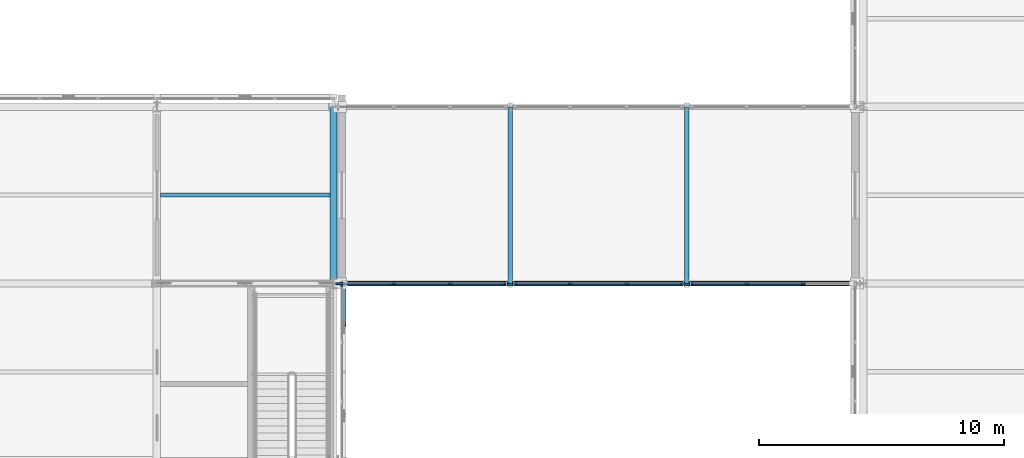
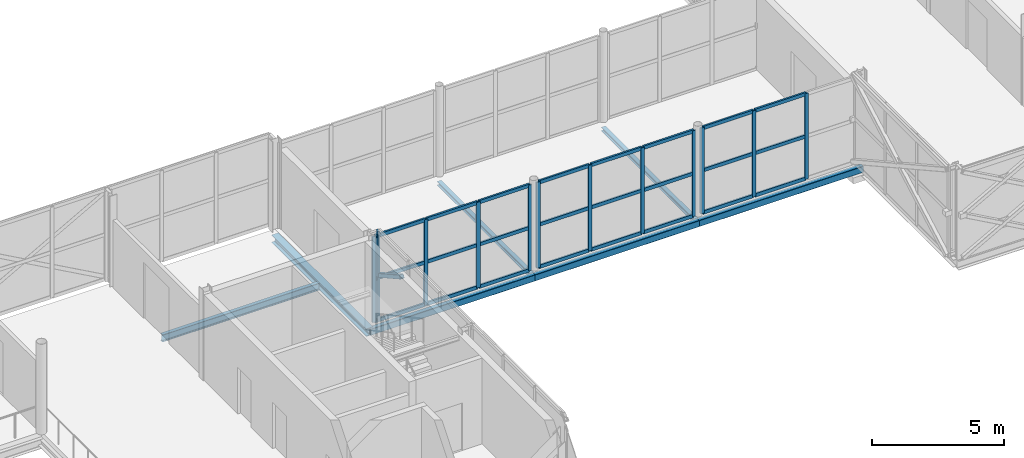
# One storey, part 43 of 146: 37 members, 7 beams, 4 elements without a shape of their own.
"""IFC4 building model written with IfcOpenShell, lengths in metres."""

import ifcopenshell
import ifcopenshell.guid

model = None  # the IFC model being written
_history = None  # IfcOwnerHistory: only IFC2X3 demands one
_inside = {}  # id of a spatial element -> (the spatial element, [elements in it])
_under = {}  # id of a project, library or spatial element -> (it, [spatial elements below it])
_declared = {}  # id of a project -> (the project, [libraries it declares])
_typed = {}  # id of a type object -> (the type object, [elements of that type])
_made_of = {}  # id of a material, layer set ... -> (it, [elements and type objects made of it])


def new_model(schema):
    """Start an empty IFC model of exactly this schema.

    Asked for "IFC4X3", IfcOpenShell would pick the latest addendum, in which some entities
    have other attributes; the version numbers below select the first issue.
    IFC2X3 requires an IfcOwnerHistory on every rooted entity: one is made here for all.
    """
    global model, _history
    if schema == "IFC4X3":
        model = ifcopenshell.file(schema_version=(4, 3, 0, 0))
    else:
        model = ifcopenshell.file(schema=schema)
    _inside.clear()
    _under.clear()
    _declared.clear()
    _typed.clear()
    _made_of.clear()
    _history = None
    if model.schema == "IFC2X3":
        org = make("IfcOrganization", Name="unknown")
        user = make(
            "IfcPersonAndOrganization",
            ThePerson=make("IfcPerson", FamilyName="unknown"),
            TheOrganization=org,
        )
        app = make(
            "IfcApplication",
            ApplicationDeveloper=org,
            Version="unknown",
            ApplicationFullName="unknown",
            ApplicationIdentifier="unknown",
        )
        _history = make(
            "IfcOwnerHistory",
            OwningUser=user,
            OwningApplication=app,
            ChangeAction="ADDED",
            CreationDate=0,
        )
    return model


def make(cls, **values):
    """One entity of the class cls with the attributes given. An attribute that is None is left unset."""
    return model.create_entity(
        cls, **{name: value for name, value in values.items() if value is not None}
    )


def rooted(cls, **values):
    """An entity with a GlobalId (a new one), such as an element, a storey or a relation."""
    return make(cls, GlobalId=ifcopenshell.guid.new(), OwnerHistory=_history, **values)


def si_unit(unit_type, name, prefix=None):
    """IfcSIUnit, for example si_unit("LENGTHUNIT", "METRE", prefix="MILLI")."""
    return make("IfcSIUnit", UnitType=unit_type, Prefix=prefix, Name=name)


def assignment(units):
    """IfcUnitAssignment: the units of a project."""
    return None if units is None else make("IfcUnitAssignment", Units=units)


def point(xyz):
    """IfcCartesianPoint."""
    return None if xyz is None else make("IfcCartesianPoint", Coordinates=xyz)


def direction(xyz):
    """IfcDirection."""
    return None if xyz is None else make("IfcDirection", DirectionRatios=xyz)


def frame(location, z_axis=None, x_axis=None):
    """IfcAxis2Placement3D, a coordinate frame: its origin and axes. An axis left out is left unset."""
    return make(
        "IfcAxis2Placement3D",
        Location=point(location),
        Axis=direction(z_axis),
        RefDirection=direction(x_axis),
    )


def frame_2d(location, x_axis=None):
    """IfcAxis2Placement2D, a coordinate frame in the plane: its origin and x axis."""
    return make(
        "IfcAxis2Placement2D", Location=point(location), RefDirection=direction(x_axis)
    )


def origin():
    """The frame at (0, 0, 0) with its axes left unset."""
    return frame((0.0, 0.0, 0.0))


def origin_2d():
    """The frame at (0, 0) in the plane with its x axis left unset."""
    return frame_2d((0.0, 0.0))


def place(relative_to, where):
    """IfcLocalPlacement: puts the frame where relative to a parent placement (None: the world)."""
    return make(
        "IfcLocalPlacement", PlacementRelTo=relative_to, RelativePlacement=where
    )


def context(
    kind, dimensions, precision=None, world=None, true_north=None, identifier=None
):
    """IfcGeometricRepresentationContext, for example the 3D "Model" context."""
    return make(
        "IfcGeometricRepresentationContext",
        ContextIdentifier=identifier,
        ContextType=kind,
        CoordinateSpaceDimension=dimensions,
        Precision=precision,
        WorldCoordinateSystem=world,
        TrueNorth=true_north,
    )


def subcontext(parent, identifier, kind, view, scale=None):
    """IfcGeometricRepresentationSubContext, for example "Body" below "Model"."""
    return make(
        "IfcGeometricRepresentationSubContext",
        ContextIdentifier=identifier,
        ContextType=kind,
        ParentContext=parent,
        TargetScale=scale,
        TargetView=view,
    )


def project(units=None, contexts=None):
    """IfcProject with its units and contexts."""
    return rooted(
        "IfcProject",
        Name="project",
        RepresentationContexts=contexts,
        UnitsInContext=assignment(units),
    )


def spatial(cls, under=None, at=None, **own):
    """A site, building, storey or space (cls), placed at a placement, below another one or the project."""
    s = rooted(cls, ObjectPlacement=at, **own)
    if under is not None:
        _under.setdefault(under.id(), (under, []))[1].append(s)
    return s


def profile(cls, at=None, kind="AREA", **sizes):
    """A parametric profile (cls). Its sizes go by their IFC names, for example OverallWidth=200.0."""
    return make(cls, ProfileType=kind, Position=at, **sizes)


def rectangle(**sizes):
    """IfcRectangleProfileDef."""
    return profile("IfcRectangleProfileDef", **sizes)


def hollow_rectangle(**sizes):
    """IfcRectangleHollowProfileDef."""
    return profile("IfcRectangleHollowProfileDef", **sizes)


def i_section(**sizes):
    """IfcIShapeProfileDef."""
    return profile("IfcIShapeProfileDef", **sizes)


def extrude(swept, where, along, depth):
    """IfcExtrudedAreaSolid: the profile swept, set in the frame where, extruded along a direction by depth."""
    return make(
        "IfcExtrudedAreaSolid",
        SweptArea=swept,
        Position=where,
        ExtrudedDirection=direction(along),
        Depth=depth,
    )


def shape(context_of_items, identifier, shape_type, items):
    """IfcShapeRepresentation: the items that make up one representation, for example the "Body"."""
    return make(
        "IfcShapeRepresentation",
        ContextOfItems=context_of_items,
        RepresentationIdentifier=identifier,
        RepresentationType=shape_type,
        Items=items,
    )


def material(Name=None, Category=None):
    """IfcMaterial."""
    return make("IfcMaterial", Name=Name, Category=Category)


def material_profile(
    of_material, cross_section, Name=None, Category=None, Priority=None
):
    """IfcMaterialProfile: a cross section and its material."""
    return make(
        "IfcMaterialProfile",
        Name=Name,
        Material=of_material,
        Profile=cross_section,
        Priority=Priority,
        Category=Category,
    )


def profile_set(profiles, Name=None, composite=None):
    """IfcMaterialProfileSet."""
    return make(
        "IfcMaterialProfileSet",
        Name=Name,
        MaterialProfiles=profiles,
        CompositeProfile=composite,
    )


def made_of(thing, what):
    """Note that an element or type object is made of a material, layer set ...; save() writes the relation."""
    if what is not None:
        _made_of.setdefault(what.id(), (what, []))[1].append(thing)
    return thing


def type_object(cls, material=None, **own):
    """A type object (cls), such as IfcWallType, which elements share."""
    return made_of(rooted(cls, **own), material)


def element(
    cls,
    number,
    at=None,
    inside=None,
    cuts=None,
    type_object=None,
    material=None,
    context=None,
    identifier="Body",
    shape_type=None,
    held_by="IfcProductDefinitionShape",
    body=None,
    shapes=None,
    **own,
):
    """One element of the class cls, such as IfcWall. Its Tag is "e" and its number.

    at: its placement. inside: the storey or other place that contains it. cuts: it is an
    opening in that element (IfcRelVoidsElement). A single representation is given by context,
    identifier, shape_type and body (its items); several are given by shapes. held_by: the class
    of the entity that holds the representations. save() writes the other relations.
    """
    e = rooted(cls, Tag="e%d" % number, ObjectPlacement=at, **own)
    if body is not None:
        shapes = [shape(context, identifier, shape_type, body)]
    if shapes is not None:
        e.Representation = make(held_by, Representations=shapes)
    if inside is not None:
        _inside.setdefault(inside.id(), (inside, []))[1].append(e)
    if cuts is not None:
        rooted(
            "IfcRelVoidsElement", RelatingBuildingElement=cuts, RelatedOpeningElement=e
        )
    if type_object is not None:
        _typed.setdefault(type_object.id(), (type_object, []))[1].append(e)
    return made_of(e, material)


def aggregate(whole, parts):
    """IfcRelAggregates: a whole, such as a stair, and the parts it consists of."""
    return rooted("IfcRelAggregates", RelatingObject=whole, RelatedObjects=parts)


def save(model, path):
    """Write the relations noted so far, then the file.

    IfcRelAggregates (storeys below a building ...), IfcRelContainedInSpatialStructure (elements
    in a storey), IfcRelDefinesByType, IfcRelAssociatesMaterial and IfcRelDeclares: one each for
    every whole, place, type object, material and project.
    """
    for whole, parts in _under.values():
        aggregate(whole, parts)
    for where, things in _inside.values():
        rooted(
            "IfcRelContainedInSpatialStructure",
            RelatedElements=things,
            RelatingStructure=where,
        )
    for kind, things in _typed.values():
        rooted("IfcRelDefinesByType", RelatedObjects=things, RelatingType=kind)
    for what, things in _made_of.values():
        rooted("IfcRelAssociatesMaterial", RelatedObjects=things, RelatingMaterial=what)
    for by, libraries in _declared.values():
        rooted("IfcRelDeclares", RelatingContext=by, RelatedDefinitions=libraries)
    model.write(path)


model = new_model("IFC4")

# Units and contexts
model_context = context("Model", 3, precision=1e-05, world=origin(), true_north=direction((0.0, 1.0)))
body_context = subcontext(model_context, "Body", "Model", "MODEL_VIEW")
ifc_project = project(units=[si_unit("LENGTHUNIT", "METRE"), si_unit("AREAUNIT", "SQUARE_METRE"), si_unit("VOLUMEUNIT", "CUBIC_METRE"), si_unit("PLANEANGLEUNIT", "RADIAN"), si_unit("MASSUNIT", "GRAM", prefix="KILO")], contexts=[model_context])

# Site, building, storey
site_placement = place(None, origin())
site = spatial("IfcSite", under=ifc_project, at=site_placement, CompositionType="ELEMENT")
building_placement = place(site_placement, origin())
building = spatial("IfcBuilding", under=site, at=building_placement, Name="Zlatovets Crest Museum", CompositionType="ELEMENT")
storey_placement = place(building_placement, frame((0.0, 0.0, 4.5)))
storey = spatial("IfcBuildingStorey", under=building, at=storey_placement, Name="L01", CompositionType="ELEMENT", Elevation=4.5)

# Beams
ifc_material_1 = material(Name="Structural steel S355J2", Category="steel")
ifc_material_profile_1 = material_profile(ifc_material_1, i_section(OverallWidth=0.300048828125, OverallDepth=0.35009765625, WebThickness=0.010009765625, FlangeThickness=0.017578125, FilletRadius=0.027099609375, at=origin_2d()), Name="HEA 360")
ifc_profile_set_1 = profile_set([ifc_material_profile_1], Name="Structural steel S355J2")
beam_type_1 = type_object("IfcBeamType", Name="Beam_B-03", PredefinedType="BEAM", material=ifc_profile_set_1)
beam_1_placement = place(storey_placement, frame((108.0, 21.60009765625, -0.39501953125), z_axis=(0.0, 1.0, 0.0), x_axis=(-1.0, 0.0, 0.0)))
element("IfcBeam", 1, at=beam_1_placement, inside=storey, type_object=beam_type_1, Name="V2 L01 Grid Beam B-03", PredefinedType="BEAM", context=body_context, shape_type="SweptSolid", body=[
    extrude(i_section(OverallWidth=0.300048828125, OverallDepth=0.35009765625, WebThickness=0.010009765625, FlangeThickness=0.017578125, FilletRadius=0.027099609375, at=origin_2d()), origin(), (0.0, 0.0, 1.0), 7.199951171875),
])
ifc_material_profile_2 = material_profile(ifc_material_1, i_section(OverallWidth=0.179931640625, OverallDepth=0.1708984375, WebThickness=0.006103515625, FlangeThickness=0.009521484375, FilletRadius=0.014892578125, at=origin_2d()), Name="HEA 180")
ifc_profile_set_2 = profile_set([ifc_material_profile_2], Name="Structural steel S355J2")
beam_type_2 = type_object("IfcBeamType", Name="Beam_B-16", PredefinedType="BEAM", material=ifc_profile_set_2)
for number, where, z_axis, x_axis, name in (
    (2, (115.199951171875, 21.60009765625, -0.3701171875), (0.0, 1.0, 0.0), (-1.0, 0.0, 0.0), "Southeast Archive Glazed Link Bridge L01 Cross Beam"),
    (3, (122.39990234375, 21.60009765625, -0.3701171875), (0.0, 1.0, 0.0), (-1.0, 0.0, 0.0), "Southeast Archive Glazed Link Bridge L01 Cross Beam"),
):
    element("IfcBeam", number, at=place(storey_placement, frame(where, z_axis=z_axis, x_axis=x_axis)), inside=storey, type_object=beam_type_2, Name=name, PredefinedType="BEAM", context=body_context, shape_type="SweptSolid", body=[
        extrude(i_section(OverallWidth=0.179931640625, OverallDepth=0.1708984375, WebThickness=0.006103515625, FlangeThickness=0.009521484375, FilletRadius=0.014892578125, at=origin_2d()), origin(), (0.0, 0.0, 1.0), 7.199951171875),
    ])
ifc_material_profile_3 = material_profile(ifc_material_1, hollow_rectangle(XDim=0.199951171875, YDim=0.300048828125, WallThickness=0.012451171875, InnerFilletRadius=0.012451171875, OuterFilletRadius=0.02490234375, at=origin_2d()), Name="RHS 200x300x12.5")
ifc_profile_set_3 = profile_set([ifc_material_profile_3], Name="Structural steel S355J2")
beam_type_3 = type_object("IfcBeamType", Name="Beam_BRG-01", PredefinedType="BEAM", material=ifc_profile_set_3)
for number, where, z_axis, x_axis, name in (
    (4, (108.0, 21.60009765625, -0.3701171875), (1.0, 0.0, 0.0), (0.0, 1.0, 0.0), "Southeast Archive Glazed Link Bridge L01 Stringer Beam"),
    (5, (115.199951171875, 21.60009765625, -0.3701171875), (1.0, 0.0, 0.0), (0.0, 1.0, 0.0), "Southeast Archive Glazed Link Bridge L01 Stringer Beam"),
):
    element("IfcBeam", number, at=place(storey_placement, frame(where, z_axis=z_axis, x_axis=x_axis)), inside=storey, type_object=beam_type_3, Name=name, PredefinedType="BEAM", context=body_context, shape_type="SweptSolid", body=[
        extrude(hollow_rectangle(XDim=0.199951171875, YDim=0.300048828125, WallThickness=0.012451171875, InnerFilletRadius=0.012451171875, OuterFilletRadius=0.02490234375, at=origin_2d()), origin(), (0.0, 0.0, 1.0), 7.199951171875),
    ])
beam_2_placement = place(storey_placement, frame((122.39990234375, 21.60009765625, -0.3701171875), z_axis=(1.0, 0.0, 0.0), x_axis=(0.0, 1.0, 0.0)))
element("IfcBeam", 6, at=beam_2_placement, inside=storey, type_object=beam_type_3, Name="Southeast Archive Glazed Link Bridge L01 Stringer Beam", PredefinedType="BEAM", context=body_context, shape_type="SweptSolid", body=[
    extrude(hollow_rectangle(XDim=0.199951171875, YDim=0.300048828125, WallThickness=0.012451171875, InnerFilletRadius=0.012451171875, OuterFilletRadius=0.02490234375, at=origin_2d()), origin(), (0.0, 0.0, 1.0), 7.2001953125),
])
ifc_material_profile_4 = material_profile(ifc_material_1, i_section(OverallWidth=0.159912109375, OverallDepth=0.330078125, WebThickness=0.007568359375, FlangeThickness=0.011474609375, FilletRadius=0.01806640625, at=origin_2d()), Name="IPE 330")
ifc_profile_set_4 = profile_set([ifc_material_profile_4], Name="Structural steel S355J2")
beam_type_4 = type_object("IfcBeamType", Name="Beam_J-09", PredefinedType="JOIST", material=ifc_profile_set_4)
beam_3_placement = place(storey_placement, frame((100.949951171875, 25.199951171875, -0.385009765625), z_axis=(1.0, 0.0, 0.0), x_axis=(0.0, 1.0, 0.0)))
element("IfcBeam", 7, at=beam_3_placement, inside=storey, type_object=beam_type_4, Name="V2 L01 Composite Joist J-09", PredefinedType="JOIST", context=body_context, shape_type="SweptSolid", body=[
    extrude(i_section(OverallWidth=0.159912109375, OverallDepth=0.330078125, WebThickness=0.007568359375, FlangeThickness=0.011474609375, FilletRadius=0.01806640625, at=origin_2d()), origin(), (0.0, 0.0, 1.0), 6.900146484375),
])

# Curtain wall, member
ifc_material_2 = material(Name="Bronze-anodised aluminium and low-E triple glass", Category="aluminium")
curtain_wall_type_1 = type_object("IfcCurtainWallType", Name="CW_CW-V2-L01-M1", PredefinedType="NOTDEFINED", material=ifc_material_2)
curtain_wall_1_placement = place(storey_placement, origin())
curtain_wall_1 = element("IfcCurtainWall", 8, at=curtain_wall_1_placement, inside=storey, type_object=curtain_wall_type_1, Name="V2 L01 Expressed Core Glazed Facade", PredefinedType="NOTDEFINED")
ifc_material_3 = material(Name="Bronze-anodised aluminium EN AW-6060", Category="aluminium")
ifc_material_profile_5 = material_profile(ifc_material_3, rectangle(XDim=0.080078125, YDim=0.159912109375, at=origin_2d()), Name="ALU 80x160")
ifc_profile_set_5 = profile_set([ifc_material_profile_5], Name="Bronze-anodised aluminium EN AW-6060")
member_type_1 = type_object("IfcMemberType", Name="CWMull_M1", PredefinedType="MULLION", material=ifc_profile_set_5)
member_1_placement = place(storey_placement, frame((108.340087890625, 21.570068359375, 0.0), z_axis=(0.0, 0.0, 1.0), x_axis=(-1.0, 0.0, 0.0)))
member_1 = element("IfcMember", 9, at=member_1_placement, type_object=member_type_1, Name="CW-V2-L01-M1 mullion 4", PredefinedType="MULLION", context=body_context, shape_type="SweptSolid", body=[
    extrude(rectangle(XDim=0.080078125, YDim=0.159912109375, at=origin_2d()), origin(), (0.0, 0.0, 1.0), 4.199951171875),
])
aggregate(curtain_wall_1, [member_1])

# Curtain wall, members
curtain_wall_type_2 = type_object("IfcCurtainWallType", Name="CW_CW-BR4-L01-S69", PredefinedType="NOTDEFINED", material=ifc_material_2)
curtain_wall_2_placement = place(storey_placement, origin())
curtain_wall_2 = element("IfcCurtainWall", 10, at=curtain_wall_2_placement, inside=storey, type_object=curtain_wall_type_2, Name="Southeast Archive Glazed Link Bridge L01 Glazed Bridge Curtain Wall", PredefinedType="NOTDEFINED")
member_2_placement = place(storey_placement, frame((108.179931640625, 21.60009765625, 0.0), z_axis=(0.0, 0.0, 1.0), x_axis=(0.0, 1.0, 0.0)))
member_2 = element("IfcMember", 11, at=member_2_placement, type_object=member_type_1, Name="CW-BR4-L01-S69 mullion 1", PredefinedType="MULLION", context=body_context, shape_type="SweptSolid", body=[
    extrude(rectangle(XDim=0.080078125, YDim=0.159912109375, at=origin_2d()), origin(), (0.0, 0.0, 1.0), 3.97998046875),
])
member_3_placement = place(storey_placement, frame((110.449951171875, 21.60009765625, 0.0), z_axis=(0.0, 0.0, 1.0), x_axis=(0.0, 1.0, 0.0)))
member_3 = element("IfcMember", 12, at=member_3_placement, type_object=member_type_1, Name="CW-BR4-L01-S69 mullion 2", PredefinedType="MULLION", context=body_context, shape_type="SweptSolid", body=[
    extrude(rectangle(XDim=0.080078125, YDim=0.159912109375, at=origin_2d()), origin(), (0.0, 0.0, 1.0), 3.97998046875),
])
member_4_placement = place(storey_placement, frame((112.75, 21.60009765625, 0.0), z_axis=(0.0, 0.0, 1.0), x_axis=(0.0, 1.0, 0.0)))
member_4 = element("IfcMember", 13, at=member_4_placement, type_object=member_type_1, Name="CW-BR4-L01-S69 mullion 3", PredefinedType="MULLION", context=body_context, shape_type="SweptSolid", body=[
    extrude(rectangle(XDim=0.080078125, YDim=0.159912109375, at=origin_2d()), origin(), (0.0, 0.0, 1.0), 3.97998046875),
])
member_5_placement = place(storey_placement, frame((115.02001953125, 21.60009765625, 0.0), z_axis=(0.0, 0.0, 1.0), x_axis=(0.0, 1.0, 0.0)))
member_5 = element("IfcMember", 14, at=member_5_placement, type_object=member_type_1, Name="CW-BR4-L01-S69 mullion 4", PredefinedType="MULLION", context=body_context, shape_type="SweptSolid", body=[
    extrude(rectangle(XDim=0.080078125, YDim=0.159912109375, at=origin_2d()), origin(), (0.0, 0.0, 1.0), 3.97998046875),
])

curtain_wall_3_placement = place(storey_placement, origin())
curtain_wall_3 = element("IfcCurtainWall", 15, at=curtain_wall_3_placement, inside=storey, type_object=curtain_wall_type_2, Name="Southeast Archive Glazed Link Bridge L01 Glazed Bridge Curtain Wall", PredefinedType="NOTDEFINED")
member_6_placement = place(storey_placement, frame((115.3798828125, 21.60009765625, 0.0), z_axis=(0.0, 0.0, 1.0), x_axis=(0.0, 1.0, 0.0)))
member_6 = element("IfcMember", 16, at=member_6_placement, type_object=member_type_1, Name="CW-BR4-L01-S69 mullion 1", PredefinedType="MULLION", context=body_context, shape_type="SweptSolid", body=[
    extrude(rectangle(XDim=0.080078125, YDim=0.159912109375, at=origin_2d()), origin(), (0.0, 0.0, 1.0), 3.97998046875),
])
member_7_placement = place(storey_placement, frame((117.64990234375, 21.60009765625, 0.0), z_axis=(0.0, 0.0, 1.0), x_axis=(0.0, 1.0, 0.0)))
member_7 = element("IfcMember", 17, at=member_7_placement, type_object=member_type_1, Name="CW-BR4-L01-S69 mullion 2", PredefinedType="MULLION", context=body_context, shape_type="SweptSolid", body=[
    extrude(rectangle(XDim=0.080078125, YDim=0.159912109375, at=origin_2d()), origin(), (0.0, 0.0, 1.0), 3.97998046875),
])
member_8_placement = place(storey_placement, frame((119.949951171875, 21.60009765625, 0.0), z_axis=(0.0, 0.0, 1.0), x_axis=(0.0, 1.0, 0.0)))
member_8 = element("IfcMember", 18, at=member_8_placement, type_object=member_type_1, Name="CW-BR4-L01-S69 mullion 3", PredefinedType="MULLION", context=body_context, shape_type="SweptSolid", body=[
    extrude(rectangle(XDim=0.080078125, YDim=0.159912109375, at=origin_2d()), origin(), (0.0, 0.0, 1.0), 3.97998046875),
])
member_9_placement = place(storey_placement, frame((122.219970703125, 21.60009765625, 0.0), z_axis=(0.0, 0.0, 1.0), x_axis=(0.0, 1.0, 0.0)))
member_9 = element("IfcMember", 19, at=member_9_placement, type_object=member_type_1, Name="CW-BR4-L01-S69 mullion 4", PredefinedType="MULLION", context=body_context, shape_type="SweptSolid", body=[
    extrude(rectangle(XDim=0.080078125, YDim=0.159912109375, at=origin_2d()), origin(), (0.0, 0.0, 1.0), 3.97998046875),
])

curtain_wall_4_placement = place(storey_placement, origin())
curtain_wall_4 = element("IfcCurtainWall", 20, at=curtain_wall_4_placement, inside=storey, type_object=curtain_wall_type_2, Name="Southeast Archive Glazed Link Bridge L01 Glazed Bridge Curtain Wall", PredefinedType="NOTDEFINED")
member_10_placement = place(storey_placement, frame((122.580078125, 21.60009765625, 0.0), z_axis=(0.0, 0.0, 1.0), x_axis=(0.0, 1.0, 0.0)))
member_10 = element("IfcMember", 21, at=member_10_placement, type_object=member_type_1, Name="CW-BR4-L01-S69 mullion 1", PredefinedType="MULLION", context=body_context, shape_type="SweptSolid", body=[
    extrude(rectangle(XDim=0.080078125, YDim=0.159912109375, at=origin_2d()), origin(), (0.0, 0.0, 1.0), 3.97998046875),
])
member_11_placement = place(storey_placement, frame((124.85009765625, 21.60009765625, 0.0), z_axis=(0.0, 0.0, 1.0), x_axis=(0.0, 1.0, 0.0)))
member_11 = element("IfcMember", 22, at=member_11_placement, type_object=member_type_1, Name="CW-BR4-L01-S69 mullion 2", PredefinedType="MULLION", context=body_context, shape_type="SweptSolid", body=[
    extrude(rectangle(XDim=0.080078125, YDim=0.159912109375, at=origin_2d()), origin(), (0.0, 0.0, 1.0), 3.97998046875),
])
member_12_placement = place(storey_placement, frame((127.14990234375, 21.60009765625, 0.0), z_axis=(0.0, 0.0, 1.0), x_axis=(0.0, 1.0, 0.0)))
member_12 = element("IfcMember", 23, at=member_12_placement, type_object=member_type_1, Name="CW-BR4-L01-S69 mullion 3", PredefinedType="MULLION", context=body_context, shape_type="SweptSolid", body=[
    extrude(rectangle(XDim=0.080078125, YDim=0.159912109375, at=origin_2d()), origin(), (0.0, 0.0, 1.0), 3.97998046875),
])

# Member
ifc_material_profile_6 = material_profile(ifc_material_3, rectangle(XDim=0.080078125, YDim=0.159912109375, at=origin_2d()), Name="ALU 80x160")
ifc_profile_set_6 = profile_set([ifc_material_profile_6], Name="Bronze-anodised aluminium EN AW-6060")
member_type_2 = type_object("IfcMemberType", Name="CWTrans_T1", PredefinedType="USERDEFINED", material=ifc_profile_set_6)
member_13_placement = place(storey_placement, frame((108.2099609375, 21.60009765625, 0.030029296875), z_axis=(1.0, 0.0, 0.0), x_axis=(0.0, 1.0, 0.0)))
member_13 = element("IfcMember", 24, at=member_13_placement, type_object=member_type_2, Name="CW-BR4-L01-S69 transom 1.1", ObjectType="TRANSOM", PredefinedType="USERDEFINED", context=body_context, shape_type="SweptSolid", body=[
    extrude(rectangle(XDim=0.080078125, YDim=0.159912109375, at=origin_2d()), origin(), (0.0, 0.0, 1.0), 2.2099609375),
])

member_14_placement = place(storey_placement, frame((108.2099609375, 21.60009765625, 1.989990234375), z_axis=(1.0, 0.0, 0.0), x_axis=(0.0, 1.0, 0.0)))
member_14 = element("IfcMember", 25, at=member_14_placement, type_object=member_type_2, Name="CW-BR4-L01-S69 transom 1.2", ObjectType="TRANSOM", PredefinedType="USERDEFINED", context=body_context, shape_type="SweptSolid", body=[
    extrude(rectangle(XDim=0.080078125, YDim=0.159912109375, at=origin_2d()), origin(), (0.0, 0.0, 1.0), 2.2099609375),
])

member_15_placement = place(storey_placement, frame((108.2099609375, 21.60009765625, 3.949951171875), z_axis=(1.0, 0.0, 0.0), x_axis=(0.0, 1.0, 0.0)))
member_15 = element("IfcMember", 26, at=member_15_placement, type_object=member_type_2, Name="CW-BR4-L01-S69 transom 1.3", ObjectType="TRANSOM", PredefinedType="USERDEFINED", context=body_context, shape_type="SweptSolid", body=[
    extrude(rectangle(XDim=0.080078125, YDim=0.159912109375, at=origin_2d()), origin(), (0.0, 0.0, 1.0), 2.2099609375),
])

member_16_placement = place(storey_placement, frame((110.47998046875, 21.60009765625, 0.030029296875), z_axis=(1.0, 0.0, 0.0), x_axis=(0.0, 1.0, 0.0)))
member_16 = element("IfcMember", 27, at=member_16_placement, type_object=member_type_2, Name="CW-BR4-L01-S69 transom 2.1", ObjectType="TRANSOM", PredefinedType="USERDEFINED", context=body_context, shape_type="SweptSolid", body=[
    extrude(rectangle(XDim=0.080078125, YDim=0.159912109375, at=origin_2d()), origin(), (0.0, 0.0, 1.0), 2.239990234375),
])

member_17_placement = place(storey_placement, frame((110.47998046875, 21.60009765625, 1.989990234375), z_axis=(1.0, 0.0, 0.0), x_axis=(0.0, 1.0, 0.0)))
member_17 = element("IfcMember", 28, at=member_17_placement, type_object=member_type_2, Name="CW-BR4-L01-S69 transom 2.2", ObjectType="TRANSOM", PredefinedType="USERDEFINED", context=body_context, shape_type="SweptSolid", body=[
    extrude(rectangle(XDim=0.080078125, YDim=0.159912109375, at=origin_2d()), origin(), (0.0, 0.0, 1.0), 2.239990234375),
])

member_18_placement = place(storey_placement, frame((110.47998046875, 21.60009765625, 3.949951171875), z_axis=(1.0, 0.0, 0.0), x_axis=(0.0, 1.0, 0.0)))
member_18 = element("IfcMember", 29, at=member_18_placement, type_object=member_type_2, Name="CW-BR4-L01-S69 transom 2.3", ObjectType="TRANSOM", PredefinedType="USERDEFINED", context=body_context, shape_type="SweptSolid", body=[
    extrude(rectangle(XDim=0.080078125, YDim=0.159912109375, at=origin_2d()), origin(), (0.0, 0.0, 1.0), 2.239990234375),
])

member_19_placement = place(storey_placement, frame((112.780029296875, 21.60009765625, 0.030029296875), z_axis=(1.0, 0.0, 0.0), x_axis=(0.0, 1.0, 0.0)))
member_19 = element("IfcMember", 30, at=member_19_placement, type_object=member_type_2, Name="CW-BR4-L01-S69 transom 3.1", ObjectType="TRANSOM", PredefinedType="USERDEFINED", context=body_context, shape_type="SweptSolid", body=[
    extrude(rectangle(XDim=0.080078125, YDim=0.159912109375, at=origin_2d()), origin(), (0.0, 0.0, 1.0), 2.2099609375),
])

member_20_placement = place(storey_placement, frame((112.780029296875, 21.60009765625, 1.989990234375), z_axis=(1.0, 0.0, 0.0), x_axis=(0.0, 1.0, 0.0)))
member_20 = element("IfcMember", 31, at=member_20_placement, type_object=member_type_2, Name="CW-BR4-L01-S69 transom 3.2", ObjectType="TRANSOM", PredefinedType="USERDEFINED", context=body_context, shape_type="SweptSolid", body=[
    extrude(rectangle(XDim=0.080078125, YDim=0.159912109375, at=origin_2d()), origin(), (0.0, 0.0, 1.0), 2.2099609375),
])

member_21_placement = place(storey_placement, frame((112.780029296875, 21.60009765625, 3.949951171875), z_axis=(1.0, 0.0, 0.0), x_axis=(0.0, 1.0, 0.0)))
member_21 = element("IfcMember", 32, at=member_21_placement, type_object=member_type_2, Name="CW-BR4-L01-S69 transom 3.3", ObjectType="TRANSOM", PredefinedType="USERDEFINED", context=body_context, shape_type="SweptSolid", body=[
    extrude(rectangle(XDim=0.080078125, YDim=0.159912109375, at=origin_2d()), origin(), (0.0, 0.0, 1.0), 2.2099609375),
])

aggregate(curtain_wall_2, [member_2, member_3, member_4, member_5, member_13, member_14, member_15, member_16, member_17, member_18, member_19, member_20, member_21])

member_22_placement = place(storey_placement, frame((115.409912109375, 21.60009765625, 0.030029296875), z_axis=(1.0, 0.0, 0.0), x_axis=(0.0, 1.0, 0.0)))
member_22 = element("IfcMember", 33, at=member_22_placement, type_object=member_type_2, Name="CW-BR4-L01-S69 transom 1.1", ObjectType="TRANSOM", PredefinedType="USERDEFINED", context=body_context, shape_type="SweptSolid", body=[
    extrude(rectangle(XDim=0.080078125, YDim=0.159912109375, at=origin_2d()), origin(), (0.0, 0.0, 1.0), 2.210205078125),
])

member_23_placement = place(storey_placement, frame((115.409912109375, 21.60009765625, 1.989990234375), z_axis=(1.0, 0.0, 0.0), x_axis=(0.0, 1.0, 0.0)))
member_23 = element("IfcMember", 34, at=member_23_placement, type_object=member_type_2, Name="CW-BR4-L01-S69 transom 1.2", ObjectType="TRANSOM", PredefinedType="USERDEFINED", context=body_context, shape_type="SweptSolid", body=[
    extrude(rectangle(XDim=0.080078125, YDim=0.159912109375, at=origin_2d()), origin(), (0.0, 0.0, 1.0), 2.210205078125),
])

member_24_placement = place(storey_placement, frame((115.409912109375, 21.60009765625, 3.949951171875), z_axis=(1.0, 0.0, 0.0), x_axis=(0.0, 1.0, 0.0)))
member_24 = element("IfcMember", 35, at=member_24_placement, type_object=member_type_2, Name="CW-BR4-L01-S69 transom 1.3", ObjectType="TRANSOM", PredefinedType="USERDEFINED", context=body_context, shape_type="SweptSolid", body=[
    extrude(rectangle(XDim=0.080078125, YDim=0.159912109375, at=origin_2d()), origin(), (0.0, 0.0, 1.0), 2.210205078125),
])

member_25_placement = place(storey_placement, frame((117.679931640625, 21.60009765625, 0.030029296875), z_axis=(1.0, 0.0, 0.0), x_axis=(0.0, 1.0, 0.0)))
member_25 = element("IfcMember", 36, at=member_25_placement, type_object=member_type_2, Name="CW-BR4-L01-S69 transom 2.1", ObjectType="TRANSOM", PredefinedType="USERDEFINED", context=body_context, shape_type="SweptSolid", body=[
    extrude(rectangle(XDim=0.080078125, YDim=0.159912109375, at=origin_2d()), origin(), (0.0, 0.0, 1.0), 2.239990234375),
])

member_26_placement = place(storey_placement, frame((117.679931640625, 21.60009765625, 1.989990234375), z_axis=(1.0, 0.0, 0.0), x_axis=(0.0, 1.0, 0.0)))
member_26 = element("IfcMember", 37, at=member_26_placement, type_object=member_type_2, Name="CW-BR4-L01-S69 transom 2.2", ObjectType="TRANSOM", PredefinedType="USERDEFINED", context=body_context, shape_type="SweptSolid", body=[
    extrude(rectangle(XDim=0.080078125, YDim=0.159912109375, at=origin_2d()), origin(), (0.0, 0.0, 1.0), 2.239990234375),
])

member_27_placement = place(storey_placement, frame((117.679931640625, 21.60009765625, 3.949951171875), z_axis=(1.0, 0.0, 0.0), x_axis=(0.0, 1.0, 0.0)))
member_27 = element("IfcMember", 38, at=member_27_placement, type_object=member_type_2, Name="CW-BR4-L01-S69 transom 2.3", ObjectType="TRANSOM", PredefinedType="USERDEFINED", context=body_context, shape_type="SweptSolid", body=[
    extrude(rectangle(XDim=0.080078125, YDim=0.159912109375, at=origin_2d()), origin(), (0.0, 0.0, 1.0), 2.239990234375),
])

member_28_placement = place(storey_placement, frame((119.97998046875, 21.60009765625, 0.030029296875), z_axis=(1.0, 0.0, 0.0), x_axis=(0.0, 1.0, 0.0)))
member_28 = element("IfcMember", 39, at=member_28_placement, type_object=member_type_2, Name="CW-BR4-L01-S69 transom 3.1", ObjectType="TRANSOM", PredefinedType="USERDEFINED", context=body_context, shape_type="SweptSolid", body=[
    extrude(rectangle(XDim=0.080078125, YDim=0.159912109375, at=origin_2d()), origin(), (0.0, 0.0, 1.0), 2.2099609375),
])

member_29_placement = place(storey_placement, frame((119.97998046875, 21.60009765625, 1.989990234375), z_axis=(1.0, 0.0, 0.0), x_axis=(0.0, 1.0, 0.0)))
member_29 = element("IfcMember", 40, at=member_29_placement, type_object=member_type_2, Name="CW-BR4-L01-S69 transom 3.2", ObjectType="TRANSOM", PredefinedType="USERDEFINED", context=body_context, shape_type="SweptSolid", body=[
    extrude(rectangle(XDim=0.080078125, YDim=0.159912109375, at=origin_2d()), origin(), (0.0, 0.0, 1.0), 2.2099609375),
])

member_30_placement = place(storey_placement, frame((119.97998046875, 21.60009765625, 3.949951171875), z_axis=(1.0, 0.0, 0.0), x_axis=(0.0, 1.0, 0.0)))
member_30 = element("IfcMember", 41, at=member_30_placement, type_object=member_type_2, Name="CW-BR4-L01-S69 transom 3.3", ObjectType="TRANSOM", PredefinedType="USERDEFINED", context=body_context, shape_type="SweptSolid", body=[
    extrude(rectangle(XDim=0.080078125, YDim=0.159912109375, at=origin_2d()), origin(), (0.0, 0.0, 1.0), 2.2099609375),
])

aggregate(curtain_wall_3, [member_6, member_7, member_8, member_9, member_22, member_23, member_24, member_25, member_26, member_27, member_28, member_29, member_30])

member_31_placement = place(storey_placement, frame((122.610107421875, 21.60009765625, 0.030029296875), z_axis=(1.0, 0.0, 0.0), x_axis=(0.0, 1.0, 0.0)))
member_31 = element("IfcMember", 42, at=member_31_placement, type_object=member_type_2, Name="CW-BR4-L01-S69 transom 1.1", ObjectType="TRANSOM", PredefinedType="USERDEFINED", context=body_context, shape_type="SweptSolid", body=[
    extrude(rectangle(XDim=0.080078125, YDim=0.159912109375, at=origin_2d()), origin(), (0.0, 0.0, 1.0), 2.2099609375),
])

member_32_placement = place(storey_placement, frame((122.610107421875, 21.60009765625, 1.989990234375), z_axis=(1.0, 0.0, 0.0), x_axis=(0.0, 1.0, 0.0)))
member_32 = element("IfcMember", 43, at=member_32_placement, type_object=member_type_2, Name="CW-BR4-L01-S69 transom 1.2", ObjectType="TRANSOM", PredefinedType="USERDEFINED", context=body_context, shape_type="SweptSolid", body=[
    extrude(rectangle(XDim=0.080078125, YDim=0.159912109375, at=origin_2d()), origin(), (0.0, 0.0, 1.0), 2.2099609375),
])

member_33_placement = place(storey_placement, frame((122.610107421875, 21.60009765625, 3.949951171875), z_axis=(1.0, 0.0, 0.0), x_axis=(0.0, 1.0, 0.0)))
member_33 = element("IfcMember", 44, at=member_33_placement, type_object=member_type_2, Name="CW-BR4-L01-S69 transom 1.3", ObjectType="TRANSOM", PredefinedType="USERDEFINED", context=body_context, shape_type="SweptSolid", body=[
    extrude(rectangle(XDim=0.080078125, YDim=0.159912109375, at=origin_2d()), origin(), (0.0, 0.0, 1.0), 2.2099609375),
])

member_34_placement = place(storey_placement, frame((124.8798828125, 21.60009765625, 0.030029296875), z_axis=(1.0, 0.0, 0.0), x_axis=(0.0, 1.0, 0.0)))
member_34 = element("IfcMember", 45, at=member_34_placement, type_object=member_type_2, Name="CW-BR4-L01-S69 transom 2.1", ObjectType="TRANSOM", PredefinedType="USERDEFINED", context=body_context, shape_type="SweptSolid", body=[
    extrude(rectangle(XDim=0.080078125, YDim=0.159912109375, at=origin_2d()), origin(), (0.0, 0.0, 1.0), 2.240234375),
])

member_35_placement = place(storey_placement, frame((124.8798828125, 21.60009765625, 1.989990234375), z_axis=(1.0, 0.0, 0.0), x_axis=(0.0, 1.0, 0.0)))
member_35 = element("IfcMember", 46, at=member_35_placement, type_object=member_type_2, Name="CW-BR4-L01-S69 transom 2.2", ObjectType="TRANSOM", PredefinedType="USERDEFINED", context=body_context, shape_type="SweptSolid", body=[
    extrude(rectangle(XDim=0.080078125, YDim=0.159912109375, at=origin_2d()), origin(), (0.0, 0.0, 1.0), 2.240234375),
])

member_36_placement = place(storey_placement, frame((124.8798828125, 21.60009765625, 3.949951171875), z_axis=(1.0, 0.0, 0.0), x_axis=(0.0, 1.0, 0.0)))
member_36 = element("IfcMember", 47, at=member_36_placement, type_object=member_type_2, Name="CW-BR4-L01-S69 transom 2.3", ObjectType="TRANSOM", PredefinedType="USERDEFINED", context=body_context, shape_type="SweptSolid", body=[
    extrude(rectangle(XDim=0.080078125, YDim=0.159912109375, at=origin_2d()), origin(), (0.0, 0.0, 1.0), 2.240234375),
])

aggregate(curtain_wall_4, [member_10, member_11, member_12, member_31, member_32, member_33, member_34, member_35, member_36])

ifc_material_4 = material(Name="Weathering bronze-steel S355J2W", Category="steel")
ifc_material_profile_7 = material_profile(ifc_material_4, hollow_rectangle(XDim=0.179931640625, YDim=0.179931640625, WallThickness=0.010009765625, InnerFilletRadius=0.010009765625, OuterFilletRadius=0.02001953125, at=origin_2d()), Name="SHS 180x180x10.0")
ifc_profile_set_7 = profile_set([ifc_material_profile_7], Name="Weathering bronze-steel S355J2W")
member_type_3 = type_object("IfcMemberType", Name="Lattice_XL-01", PredefinedType="BRACE", material=ifc_profile_set_7)
member_37_placement = place(storey_placement, frame((108.419921875, 19.883056640625, 3.053955078125), z_axis=(0.0, 0.874169001841, -0.485621824284), x_axis=(-1.0, 0.0, 0.0)))
element("IfcMember", 48, at=member_37_placement, inside=storey, type_object=member_type_3, Name="Split Crossing Bronze Lattice Diagonal Lower", PredefinedType="BRACE", context=body_context, shape_type="SweptSolid", body=[
    extrude(hollow_rectangle(XDim=0.179931640625, YDim=0.179931640625, WallThickness=0.010009765625, InnerFilletRadius=0.010009765625, OuterFilletRadius=0.02001953125, at=origin_2d()), origin(), (0.0, 0.0, 1.0), 1.964111328125),
])

save(model, "model.ifc")
